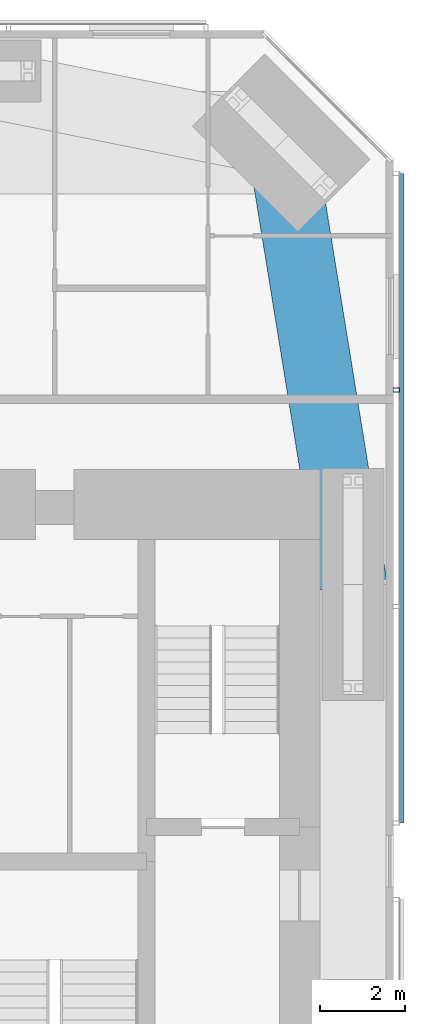
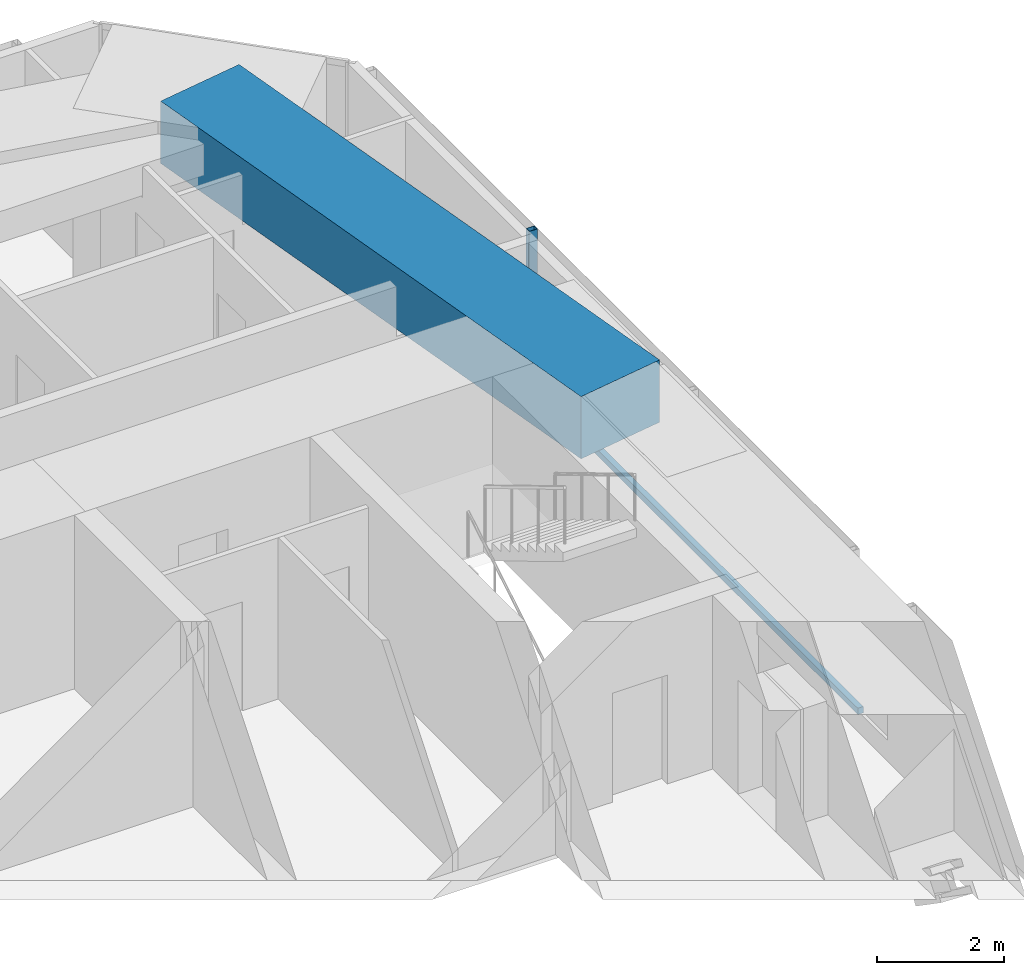
# One storey, part 10 of 23: 2 members, 1 beam, 1 element without a shape of its own.
"""IFC4 building model written with IfcOpenShell, lengths in metres."""

from ifc_helpers import new_model, si_unit, direction, frame, origin, origin_2d, place, context, subcontext, project, spatial, rectangle, hollow_rectangle, extrude, material, material_profile, profile_set, type_object, element, aggregate, save


model = new_model("IFC4")

# Units and contexts
model_context = context("Model", 3, precision=1e-05, world=origin(), true_north=direction((0.0, 1.0)))
body_context = subcontext(model_context, "Body", "Model", "MODEL_VIEW")
ifc_project = project(units=[si_unit("LENGTHUNIT", "METRE"), si_unit("AREAUNIT", "SQUARE_METRE"), si_unit("VOLUMEUNIT", "CUBIC_METRE"), si_unit("PLANEANGLEUNIT", "RADIAN"), si_unit("MASSUNIT", "GRAM", prefix="KILO")], contexts=[model_context])

# Site, building, storey
site_placement = place(None, origin())
site = spatial("IfcSite", under=ifc_project, at=site_placement, CompositionType="ELEMENT")
building_placement = place(site_placement, origin())
building = spatial("IfcBuilding", under=site, at=building_placement, Name="Jalousie Tower", CompositionType="ELEMENT")
storey_placement = place(building_placement, frame((0.0, 0.0, 37.75)))
storey = spatial("IfcBuildingStorey", under=building, at=storey_placement, Name="L09", CompositionType="ELEMENT", Elevation=37.75)

# Beam
ifc_material_1 = material(Name="Concrete f'c 40 MPa", Category="concrete")
ifc_material_profile_1 = material_profile(ifc_material_1, rectangle(XDim=1.60009765625, YDim=1.199951171875, at=origin_2d()), Name="RC 1600x1200")
ifc_profile_set_1 = profile_set([ifc_material_profile_1], Name="Concrete f'c 40 MPa")
beam_type = type_object("IfcBeamType", Name="RC BEAM 1600x1200", PredefinedType="BEAM", material=ifc_profile_set_1)
beam_placement = place(storey_placement, frame((45.050048828125, 25.0, 2.75), z_axis=(-0.160070546476, 0.987105577003, 0.0), x_axis=(-0.987105577003, -0.160070546476, 0.0)))
element("IfcBeam", 1, at=beam_placement, inside=storey, type_object=beam_type, Name="Edge band beam 07-08 under L10", PredefinedType="BEAM", context=body_context, shape_type="SweptSolid", body=[
    extrude(rectangle(XDim=1.60009765625, YDim=1.199951171875, at=origin_2d()), origin(), (0.0, 0.0, 1.0), 10.504150390625),
])

# Curtain wall, members
ifc_material_2 = material(Name="Perforated aluminium sheet", Category="aluminium")
curtain_wall_type = type_object("IfcCurtainWallType", Name="SOLAR SCREEN SS-1", PredefinedType="USERDEFINED", material=ifc_material_2)
curtain_wall_placement = place(storey_placement, origin())
curtain_wall = element("IfcCurtainWall", 2, at=curtain_wall_placement, inside=storey, type_object=curtain_wall_type, Name="Solar screen L09", ObjectType="SOLAR SCREEN SS-1", PredefinedType="USERDEFINED")
ifc_material_3 = material(Name="Steel ASTM A500 Grade C", Category="steel")
ifc_material_profile_2 = material_profile(ifc_material_3, hollow_rectangle(XDim=0.1015625, YDim=0.15234375, WallThickness=0.00634765625, at=origin_2d()), Name="HSS6X4X1/4")
ifc_profile_set_2 = profile_set([ifc_material_profile_2], Name="Steel ASTM A500 Grade C")
member_type_1 = type_object("IfcMemberType", Name="SOLAR SCREEN SS-1 MULLION", PredefinedType="MULLION", material=ifc_profile_set_2)
member_1_placement = place(storey_placement, frame((46.0712890625, 29.56591796875, -0.1201171875), z_axis=(0.0, 0.0, 1.0), x_axis=(0.0, 1.0, 0.0)))
member_1 = element("IfcMember", 3, at=member_1_placement, type_object=member_type_1, Name="SS1 post 3", PredefinedType="MULLION", context=body_context, shape_type="SweptSolid", body=[
    extrude(hollow_rectangle(XDim=0.1015625, YDim=0.15234375, WallThickness=0.00634765625, at=origin_2d()), origin(), (0.0, 0.0, 1.0), 3.230224609375),
])
ifc_material_4 = material(Name="Extruded aluminium screen rail", Category="aluminium")
ifc_material_profile_3 = material_profile(ifc_material_4, rectangle(XDim=0.1015625, YDim=0.1201171875, at=origin_2d()), Name="RAIL 102x120")
ifc_profile_set_3 = profile_set([ifc_material_profile_3], Name="Extruded aluminium screen rail")
member_type_2 = type_object("IfcMemberType", Name="SOLAR SCREEN SS-1 TRANSOM", PredefinedType="USERDEFINED", material=ifc_profile_set_3)
member_2_placement = place(storey_placement, frame((46.1982421875, 19.39990234375, -0.06005859375), z_axis=(0.0, 1.0, 0.0), x_axis=(-1.0, 0.0, 0.0)))
member_2 = element("IfcMember", 4, at=member_2_placement, type_object=member_type_2, Name="SS1 rail", ObjectType="TRANSOM", PredefinedType="USERDEFINED", context=body_context, shape_type="SweptSolid", body=[
    extrude(rectangle(XDim=0.1015625, YDim=0.1201171875, at=origin_2d()), origin(), (0.0, 0.0, 1.0), 15.248779296875),
])
aggregate(curtain_wall, [member_1, member_2])

save(model, "model.ifc")
